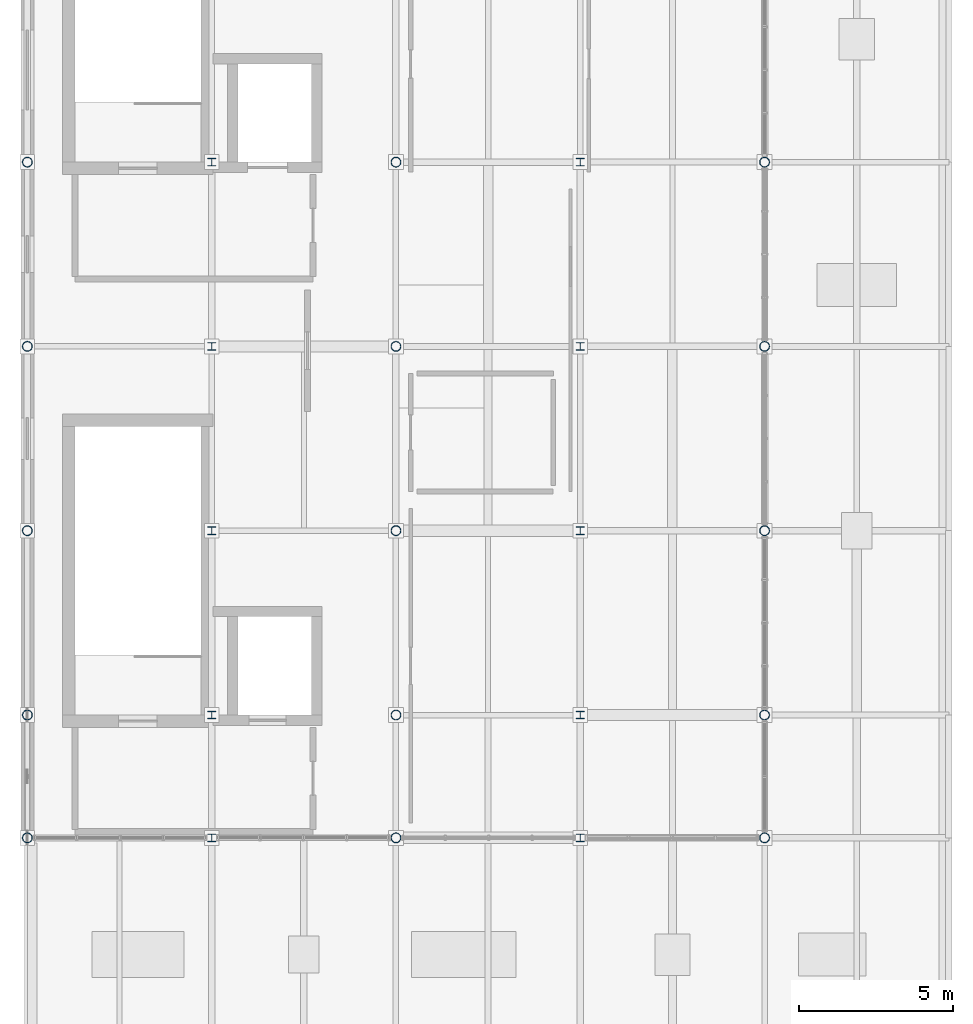
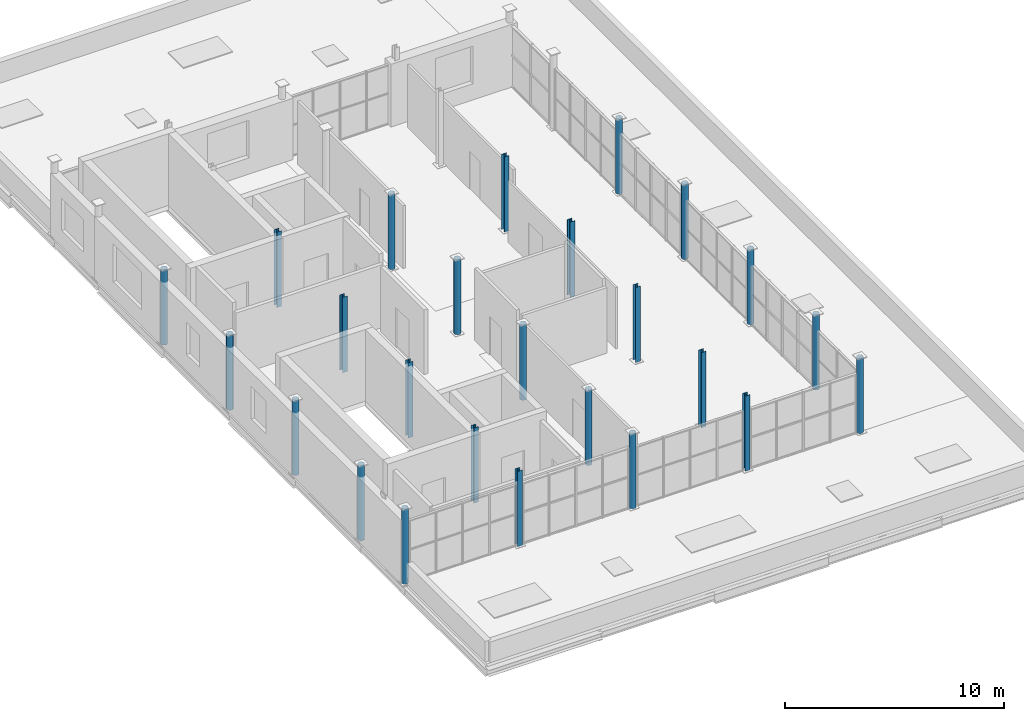
# One storey, part 1 of 27: 25 columns.
"""IFC4 building model written with IfcOpenShell, lengths in metres."""

from ifc_helpers import new_model, si_unit, direction, frame, origin, origin_2d, place, context, subcontext, project, spatial, hollow_circle, i_section, extrude, material, material_profile, profile_set, type_object, element, save


model = new_model("IFC4")

# Units and contexts
model_context = context("Model", 3, precision=1e-05, world=origin(), true_north=direction((0.0, 1.0)))
body_context = subcontext(model_context, "Body", "Model", "MODEL_VIEW")
ifc_project = project(units=[si_unit("LENGTHUNIT", "METRE"), si_unit("AREAUNIT", "SQUARE_METRE"), si_unit("VOLUMEUNIT", "CUBIC_METRE"), si_unit("PLANEANGLEUNIT", "RADIAN"), si_unit("MASSUNIT", "GRAM", prefix="KILO")], contexts=[model_context])

# Site, building, storey
site_placement = place(None, origin())
site = spatial("IfcSite", under=ifc_project, at=site_placement, CompositionType="ELEMENT")
building_placement = place(site_placement, origin())
building = spatial("IfcBuilding", under=site, at=building_placement, Name="Verrall Gate Interchange", CompositionType="ELEMENT")
storey_placement = place(building_placement, frame((0.0, 0.0, 28.60009765625)))
storey = spatial("IfcBuildingStorey", under=building, at=storey_placement, Name="L07", CompositionType="ELEMENT", Elevation=28.60009765625)

# Columns
ifc_material_1 = material(Name="Structural Steel CSA G40.21 350W", Category="steel")
ifc_material_profile_1 = material_profile(ifc_material_1, i_section(OverallWidth=0.25390625, OverallDepth=0.2529296875, WebThickness=0.008544921875, FlangeThickness=0.01416015625, FilletRadius=0.011962890625, at=origin_2d()), Name="W250x73")
ifc_profile_set_1 = profile_set([ifc_material_profile_1], Name="Structural Steel CSA G40.21 350W")
column_type_1 = type_object("IfcColumnType", Name="C-11 Column W250x73", PredefinedType="COLUMN", material=ifc_profile_set_1)
for number, where, z_axis, x_axis, name in (
    (1, (12.0, 12.0, 0.0), (0.0, 0.0, 1.0), (1.0, 0.0, 0.0), "L07 Column COL-L07-0270 (C-11)"),
    (2, (12.0, 16.0, 0.0), (0.0, 0.0, 1.0), (1.0, 0.0, 0.0), "L07 Column COL-L07-0279 (C-11)"),
    (3, (12.0, 22.0, 0.0), (0.0, 0.0, 1.0), (1.0, 0.0, 0.0), "L07 Column COL-L07-0288 (C-11)"),
    (4, (12.0, 28.0, 0.0), (0.0, 0.0, 1.0), (1.0, 0.0, 0.0), "L07 Column COL-L07-0297 (C-11)"),
    (5, (12.0, 34.0, 0.0), (0.0, 0.0, 1.0), (1.0, 0.0, 0.0), "L07 Column COL-L07-0306 (C-11)"),
    (6, (24.0, 12.0, 0.0), (0.0, 0.0, 1.0), (1.0, 0.0, 0.0), "L07 Column COL-L07-0504 (C-11)"),
    (7, (24.0, 16.0, 0.0), (0.0, 0.0, 1.0), (1.0, 0.0, 0.0), "L07 Column COL-L07-0513 (C-11)"),
    (8, (24.0, 22.0, 0.0), (0.0, 0.0, 1.0), (1.0, 0.0, 0.0), "L07 Column COL-L07-0522 (C-11)"),
    (9, (24.0, 28.0, 0.0), (0.0, 0.0, 1.0), (1.0, 0.0, 0.0), "L07 Column COL-L07-0531 (C-11)"),
    (10, (24.0, 34.0, 0.0), (0.0, 0.0, 1.0), (1.0, 0.0, 0.0), "L07 Column COL-L07-0540 (C-11)"),
):
    element("IfcColumn", number, at=place(storey_placement, frame(where, z_axis=z_axis, x_axis=x_axis)), inside=storey, type_object=column_type_1, Name=name, PredefinedType="COLUMN", context=body_context, shape_type="SweptSolid", body=[
        extrude(i_section(OverallWidth=0.25390625, OverallDepth=0.2529296875, WebThickness=0.008544921875, FlangeThickness=0.01416015625, FilletRadius=0.011962890625, at=origin_2d()), origin(), (0.0, 0.0, 1.0), 4.199951171875),
    ])
ifc_material_2 = material(Name="Structural Steel CSA G40.21 350WT Cat 4", Category="steel")
ifc_material_profile_2 = material_profile(ifc_material_2, hollow_circle(Radius=0.161865234375, WallThickness=0.0126953125, at=origin_2d()), Name="HSS324x13")
ifc_profile_set_2 = profile_set([ifc_material_profile_2], Name="Structural Steel CSA G40.21 350WT Cat 4")
column_type_2 = type_object("IfcColumnType", Name="C-15 Column HSS324x13", PredefinedType="COLUMN", material=ifc_profile_set_2)
for number, where, z_axis, x_axis, name in (
    (11, (6.0, 12.0, 0.0), (0.0, 0.0, 1.0), (1.0, 0.0, 0.0), "L07 Column COL-L07-0153 (C-15)"),
    (12, (6.0, 16.0, 0.0), (0.0, 0.0, 1.0), (1.0, 0.0, 0.0), "L07 Column COL-L07-0162 (C-15)"),
    (13, (6.0, 22.0, 0.0), (0.0, 0.0, 1.0), (1.0, 0.0, 0.0), "L07 Column COL-L07-0171 (C-15)"),
    (14, (6.0, 28.0, 0.0), (0.0, 0.0, 1.0), (1.0, 0.0, 0.0), "L07 Column COL-L07-0180 (C-15)"),
    (15, (6.0, 34.0, 0.0), (0.0, 0.0, 1.0), (1.0, 0.0, 0.0), "L07 Column COL-L07-0189 (C-15)"),
    (16, (18.0, 12.0, 0.0), (0.0, 0.0, 1.0), (1.0, 0.0, 0.0), "L07 Column COL-L07-0387 (C-15)"),
    (17, (18.0, 16.0, 0.0), (0.0, 0.0, 1.0), (1.0, 0.0, 0.0), "L07 Column COL-L07-0396 (C-15)"),
    (18, (18.0, 22.0, 0.0), (0.0, 0.0, 1.0), (1.0, 0.0, 0.0), "L07 Column COL-L07-0405 (C-15)"),
    (19, (18.0, 28.0, 0.0), (0.0, 0.0, 1.0), (1.0, 0.0, 0.0), "L07 Column COL-L07-0414 (C-15)"),
    (20, (18.0, 34.0, 0.0), (0.0, 0.0, 1.0), (1.0, 0.0, 0.0), "L07 Column COL-L07-0423 (C-15)"),
    (21, (30.0, 12.0, 0.0), (0.0, 0.0, 1.0), (1.0, 0.0, 0.0), "L07 Column COL-L07-0621 (C-15)"),
    (22, (30.0, 16.0, 0.0), (0.0, 0.0, 1.0), (1.0, 0.0, 0.0), "L07 Column COL-L07-0630 (C-15)"),
    (23, (30.0, 22.0, 0.0), (0.0, 0.0, 1.0), (1.0, 0.0, 0.0), "L07 Column COL-L07-0639 (C-15)"),
    (24, (30.0, 28.0, 0.0), (0.0, 0.0, 1.0), (1.0, 0.0, 0.0), "L07 Column COL-L07-0648 (C-15)"),
    (25, (30.0, 34.0, 0.0), (0.0, 0.0, 1.0), (1.0, 0.0, 0.0), "L07 Column COL-L07-0657 (C-15)"),
):
    element("IfcColumn", number, at=place(storey_placement, frame(where, z_axis=z_axis, x_axis=x_axis)), inside=storey, type_object=column_type_2, Name=name, PredefinedType="COLUMN", context=body_context, shape_type="SweptSolid", body=[
        extrude(hollow_circle(Radius=0.161865234375, WallThickness=0.0126953125, at=origin_2d()), origin(), (0.0, 0.0, 1.0), 4.199951171875),
    ])

save(model, "model.ifc")
